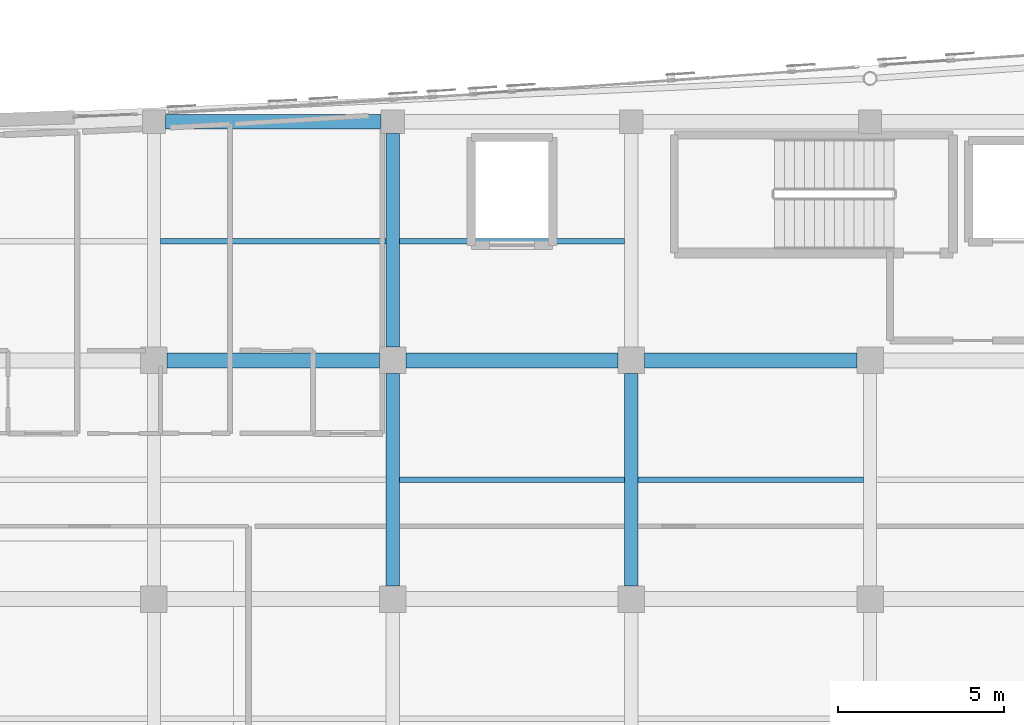
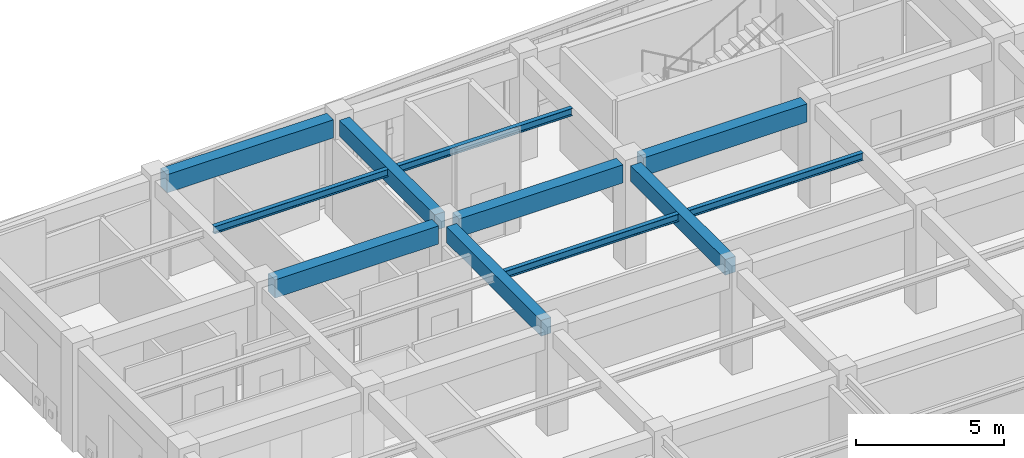
# One storey, part 26 of 106: 11 beams.
"""IFC4 building model written with IfcOpenShell, lengths in metres."""

from ifc_helpers import new_model, si_unit, direction, frame, origin, origin_2d, place, context, subcontext, project, spatial, rectangle, i_section, extrude, material, material_profile, profile_set, type_object, element, save


model = new_model("IFC4")

# Units and contexts
model_context = context("Model", 3, precision=1e-05, world=origin(), true_north=direction((0.0, 1.0)))
body_context = subcontext(model_context, "Body", "Model", "MODEL_VIEW")
ifc_project = project(units=[si_unit("LENGTHUNIT", "METRE"), si_unit("AREAUNIT", "SQUARE_METRE"), si_unit("VOLUMEUNIT", "CUBIC_METRE"), si_unit("PLANEANGLEUNIT", "RADIAN"), si_unit("MASSUNIT", "GRAM", prefix="KILO")], contexts=[model_context])

# Site, building, storey
site_placement = place(None, origin())
site = spatial("IfcSite", under=ifc_project, at=site_placement, CompositionType="ELEMENT")
building_placement = place(site_placement, origin())
building = spatial("IfcBuilding", under=site, at=building_placement, Name="Carrowvane Square Congress Hotel", CompositionType="ELEMENT")
storey_placement = place(building_placement, frame((0.0, 0.0, 10.5)))
storey = spatial("IfcBuildingStorey", under=building, at=storey_placement, Name="L02", CompositionType="ELEMENT", Elevation=10.5)

# Beams
ifc_material_1 = material(Name="Concrete C35/45", Category="concrete")
ifc_material_profile_1 = material_profile(ifc_material_1, rectangle(XDim=0.39990234375, YDim=0.64990234375, at=origin_2d()), Name="RC 400x650")
ifc_profile_set_1 = profile_set([ifc_material_profile_1], Name="Concrete C35/45")
beam_type_1 = type_object("IfcBeamType", Name="BM-RC-400x650", PredefinedType="BEAM", material=ifc_profile_set_1)
beam_1_placement = place(storey_placement, frame((47.60009765625, 99.39990234375, 3.89501953125), z_axis=(0.0, 1.0, 0.0), x_axis=(-1.0, 0.0, 0.0)))
element("IfcBeam", 1, at=beam_1_placement, inside=storey, type_object=beam_type_1, Name="L03 girder 6/P-Q", PredefinedType="BEAM", context=body_context, shape_type="SweptSolid", body=[
    extrude(rectangle(XDim=0.39990234375, YDim=0.64990234375, at=origin_2d()), origin(), (0.0, 0.0, 1.0), 6.400146484375),
])
beam_2_placement = place(storey_placement, frame((47.60009765625, 106.60009765625, 3.89501953125), z_axis=(0.0, 1.0, 0.0), x_axis=(-1.0, 0.0, 0.0)))
element("IfcBeam", 2, at=beam_2_placement, inside=storey, type_object=beam_type_1, Name="L03 girder 6/Q-R", PredefinedType="BEAM", context=body_context, shape_type="SweptSolid", body=[
    extrude(rectangle(XDim=0.39990234375, YDim=0.64990234375, at=origin_2d()), origin(), (0.0, 0.0, 1.0), 6.449951171875),
])
beam_3_placement = place(storey_placement, frame((54.800048828125, 99.39990234375, 3.89501953125), z_axis=(0.0, 1.0, 0.0), x_axis=(-1.0, 0.0, 0.0)))
element("IfcBeam", 3, at=beam_3_placement, inside=storey, type_object=beam_type_1, Name="L03 girder 7/P-Q", PredefinedType="BEAM", context=body_context, shape_type="SweptSolid", body=[
    extrude(rectangle(XDim=0.39990234375, YDim=0.64990234375, at=origin_2d()), origin(), (0.0, 0.0, 1.0), 6.400146484375),
])
ifc_material_2 = material(Name="Concrete C35/45", Category="concrete")
ifc_material_profile_2 = material_profile(ifc_material_2, rectangle(XDim=0.449951171875, YDim=0.75, at=origin_2d()), Name="RC 450x750")
ifc_profile_set_2 = profile_set([ifc_material_profile_2], Name="Concrete C35/45")
beam_type_2 = type_object("IfcBeamType", Name="BM-RC-450x750", PredefinedType="USERDEFINED", material=ifc_profile_set_2)
for number, where, z_axis, x_axis, name in (
    (4, (40.800048828125, 106.199951171875, 3.844970703125), (1.0, 0.0, 0.0), (0.0, 1.0, 0.0), "L03 girder Q/5-6"),
    (5, (48.0, 106.199951171875, 3.844970703125), (1.0, 0.0, 0.0), (0.0, 1.0, 0.0), "L03 girder Q/6-7"),
):
    element("IfcBeam", number, at=place(storey_placement, frame(where, z_axis=z_axis, x_axis=x_axis)), inside=storey, type_object=beam_type_2, Name=name, ObjectType="GIRDER", PredefinedType="USERDEFINED", context=body_context, shape_type="SweptSolid", body=[
        extrude(rectangle(XDim=0.449951171875, YDim=0.75, at=origin_2d()), origin(), (0.0, 0.0, 1.0), 6.39990234375),
    ])
beam_4_placement = place(storey_placement, frame((55.199951171875, 106.199951171875, 3.844970703125), z_axis=(1.0, 0.0, 0.0), x_axis=(0.0, 1.0, 0.0)))
element("IfcBeam", 6, at=beam_4_placement, inside=storey, type_object=beam_type_2, Name="L03 girder Q/7-8", ObjectType="GIRDER", PredefinedType="USERDEFINED", context=body_context, shape_type="SweptSolid", body=[
    extrude(rectangle(XDim=0.449951171875, YDim=0.75, at=origin_2d()), origin(), (0.0, 0.0, 1.0), 6.400146484375),
])
beam_5_placement = place(storey_placement, frame((40.75, 113.39990234375, 3.844970703125), z_axis=(1.0, 0.0, 0.0), x_axis=(0.0, 1.0, 0.0)))
element("IfcBeam", 7, at=beam_5_placement, inside=storey, type_object=beam_type_2, Name="L03 girder R/5-6", ObjectType="GIRDER", PredefinedType="USERDEFINED", context=body_context, shape_type="SweptSolid", body=[
    extrude(rectangle(XDim=0.449951171875, YDim=0.75, at=origin_2d()), origin(), (0.0, 0.0, 1.0), 6.5),
])
ifc_material_3 = material(Name="Steel S355", Category="steel")
ifc_material_profile_3 = material_profile(ifc_material_3, i_section(OverallWidth=0.165771484375, OverallDepth=0.306640625, WebThickness=0.006591796875, FlangeThickness=0.01171875, FilletRadius=0.0087890625, at=origin_2d()), Name="UKB 305x165x46")
ifc_profile_set_3 = profile_set([ifc_material_profile_3], Name="Steel S355")
beam_type_3 = type_object("IfcBeamType", Name="BM-ST-UKB305", PredefinedType="JOIST", material=ifc_profile_set_3)
beam_6_placement = place(storey_placement, frame((40.60009765625, 109.800048828125, 4.066650390625), z_axis=(1.0, 0.0, 0.0), x_axis=(0.0, 1.0, 0.0)))
element("IfcBeam", 8, at=beam_6_placement, inside=storey, type_object=beam_type_3, Name="L03 secondary joist 5-6", PredefinedType="JOIST", context=body_context, shape_type="SweptSolid", body=[
    extrude(i_section(OverallWidth=0.165771484375, OverallDepth=0.306640625, WebThickness=0.006591796875, FlangeThickness=0.01171875, FilletRadius=0.0087890625, at=origin_2d()), origin(), (0.0, 0.0, 1.0), 6.7998046875),
])
for number, where, z_axis, x_axis, name in (
    (9, (47.800048828125, 102.60009765625, 4.066650390625), (1.0, 0.0, 0.0), (0.0, 1.0, 0.0), "L03 secondary joist 6-7"),
    (10, (47.800048828125, 109.800048828125, 4.066650390625), (1.0, 0.0, 0.0), (0.0, 1.0, 0.0), "L03 secondary joist 6-7"),
    (11, (55.0, 102.60009765625, 4.066650390625), (1.0, 0.0, 0.0), (0.0, 1.0, 0.0), "L03 secondary joist 7-8"),
):
    element("IfcBeam", number, at=place(storey_placement, frame(where, z_axis=z_axis, x_axis=x_axis)), inside=storey, type_object=beam_type_3, Name=name, PredefinedType="JOIST", context=body_context, shape_type="SweptSolid", body=[
        extrude(i_section(OverallWidth=0.165771484375, OverallDepth=0.306640625, WebThickness=0.006591796875, FlangeThickness=0.01171875, FilletRadius=0.0087890625, at=origin_2d()), origin(), (0.0, 0.0, 1.0), 6.800048828125),
    ])

save(model, "model.ifc")
